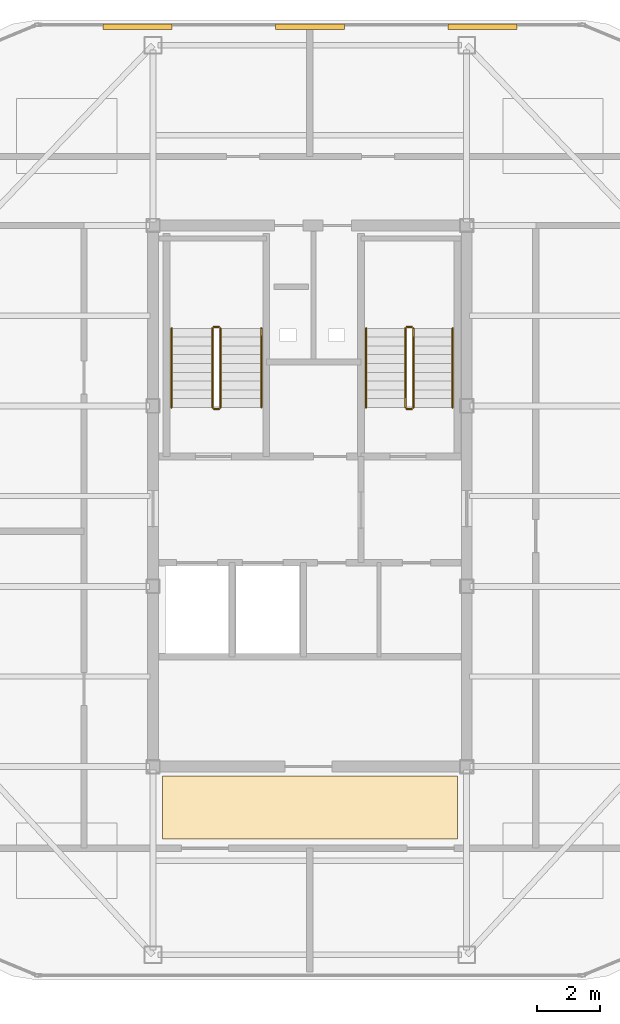
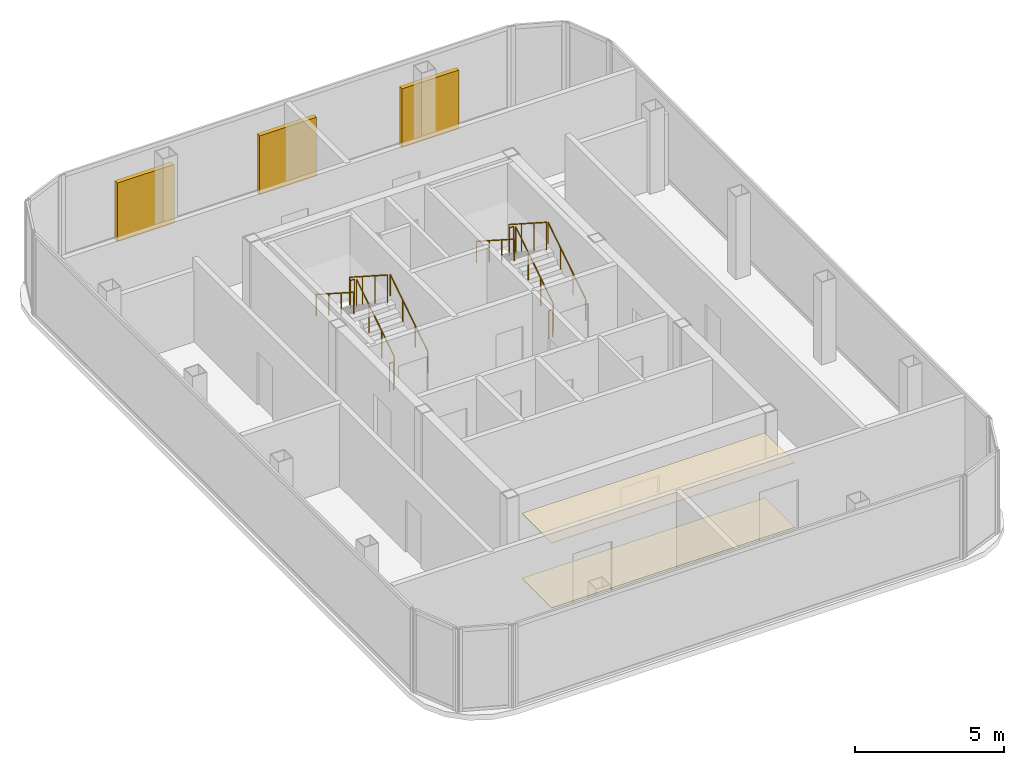
# One storey, part 11 of 11: 12 railings, 3 shading devices, 2 coverings.
"""IFC4 building model written with IfcOpenShell, lengths in metres."""

import ifcopenshell
import ifcopenshell.guid

model = None  # the IFC model being written
_history = None  # IfcOwnerHistory: only IFC2X3 demands one
_inside = {}  # id of a spatial element -> (the spatial element, [elements in it])
_under = {}  # id of a project, library or spatial element -> (it, [spatial elements below it])
_declared = {}  # id of a project -> (the project, [libraries it declares])
_typed = {}  # id of a type object -> (the type object, [elements of that type])
_made_of = {}  # id of a material, layer set ... -> (it, [elements and type objects made of it])


def new_model(schema):
    """Start an empty IFC model of exactly this schema.

    Asked for "IFC4X3", IfcOpenShell would pick the latest addendum, in which some entities
    have other attributes; the version numbers below select the first issue.
    IFC2X3 requires an IfcOwnerHistory on every rooted entity: one is made here for all.
    """
    global model, _history
    if schema == "IFC4X3":
        model = ifcopenshell.file(schema_version=(4, 3, 0, 0))
    else:
        model = ifcopenshell.file(schema=schema)
    _inside.clear()
    _under.clear()
    _declared.clear()
    _typed.clear()
    _made_of.clear()
    _history = None
    if model.schema == "IFC2X3":
        org = make("IfcOrganization", Name="unknown")
        user = make(
            "IfcPersonAndOrganization",
            ThePerson=make("IfcPerson", FamilyName="unknown"),
            TheOrganization=org,
        )
        app = make(
            "IfcApplication",
            ApplicationDeveloper=org,
            Version="unknown",
            ApplicationFullName="unknown",
            ApplicationIdentifier="unknown",
        )
        _history = make(
            "IfcOwnerHistory",
            OwningUser=user,
            OwningApplication=app,
            ChangeAction="ADDED",
            CreationDate=0,
        )
    return model


def make(cls, **values):
    """One entity of the class cls with the attributes given. An attribute that is None is left unset."""
    return model.create_entity(
        cls, **{name: value for name, value in values.items() if value is not None}
    )


def rooted(cls, **values):
    """An entity with a GlobalId (a new one), such as an element, a storey or a relation."""
    return make(cls, GlobalId=ifcopenshell.guid.new(), OwnerHistory=_history, **values)


def si_unit(unit_type, name, prefix=None):
    """IfcSIUnit, for example si_unit("LENGTHUNIT", "METRE", prefix="MILLI")."""
    return make("IfcSIUnit", UnitType=unit_type, Prefix=prefix, Name=name)


def assignment(units):
    """IfcUnitAssignment: the units of a project."""
    return None if units is None else make("IfcUnitAssignment", Units=units)


def point(xyz):
    """IfcCartesianPoint."""
    return None if xyz is None else make("IfcCartesianPoint", Coordinates=xyz)


def direction(xyz):
    """IfcDirection."""
    return None if xyz is None else make("IfcDirection", DirectionRatios=xyz)


def frame(location, z_axis=None, x_axis=None):
    """IfcAxis2Placement3D, a coordinate frame: its origin and axes. An axis left out is left unset."""
    return make(
        "IfcAxis2Placement3D",
        Location=point(location),
        Axis=direction(z_axis),
        RefDirection=direction(x_axis),
    )


def frame_2d(location, x_axis=None):
    """IfcAxis2Placement2D, a coordinate frame in the plane: its origin and x axis."""
    return make(
        "IfcAxis2Placement2D", Location=point(location), RefDirection=direction(x_axis)
    )


def origin():
    """The frame at (0, 0, 0) with its axes left unset."""
    return frame((0.0, 0.0, 0.0))


def origin_2d():
    """The frame at (0, 0) in the plane with its x axis left unset."""
    return frame_2d((0.0, 0.0))


def place(relative_to, where):
    """IfcLocalPlacement: puts the frame where relative to a parent placement (None: the world)."""
    return make(
        "IfcLocalPlacement", PlacementRelTo=relative_to, RelativePlacement=where
    )


def context(
    kind, dimensions, precision=None, world=None, true_north=None, identifier=None
):
    """IfcGeometricRepresentationContext, for example the 3D "Model" context."""
    return make(
        "IfcGeometricRepresentationContext",
        ContextIdentifier=identifier,
        ContextType=kind,
        CoordinateSpaceDimension=dimensions,
        Precision=precision,
        WorldCoordinateSystem=world,
        TrueNorth=true_north,
    )


def subcontext(parent, identifier, kind, view, scale=None):
    """IfcGeometricRepresentationSubContext, for example "Body" below "Model"."""
    return make(
        "IfcGeometricRepresentationSubContext",
        ContextIdentifier=identifier,
        ContextType=kind,
        ParentContext=parent,
        TargetScale=scale,
        TargetView=view,
    )


def project(units=None, contexts=None):
    """IfcProject with its units and contexts."""
    return rooted(
        "IfcProject",
        Name="project",
        RepresentationContexts=contexts,
        UnitsInContext=assignment(units),
    )


def spatial(cls, under=None, at=None, **own):
    """A site, building, storey or space (cls), placed at a placement, below another one or the project."""
    s = rooted(cls, ObjectPlacement=at, **own)
    if under is not None:
        _under.setdefault(under.id(), (under, []))[1].append(s)
    return s


def polyline(points):
    """IfcPolyline through the points."""
    return make("IfcPolyline", Points=[point(p) for p in points])


def profile(cls, at=None, kind="AREA", **sizes):
    """A parametric profile (cls). Its sizes go by their IFC names, for example OverallWidth=200.0."""
    return make(cls, ProfileType=kind, Position=at, **sizes)


def rectangle(**sizes):
    """IfcRectangleProfileDef."""
    return profile("IfcRectangleProfileDef", **sizes)


def circle(**sizes):
    """IfcCircleProfileDef."""
    return profile("IfcCircleProfileDef", **sizes)


def outline(outer, holes=None, kind="AREA"):
    """IfcArbitraryClosedProfileDef: a profile drawn as a closed curve; with holes, ...WithVoids."""
    if holes is None:
        return make("IfcArbitraryClosedProfileDef", ProfileType=kind, OuterCurve=outer)
    return make(
        "IfcArbitraryProfileDefWithVoids",
        ProfileType=kind,
        OuterCurve=outer,
        InnerCurves=holes,
    )


def extrude(swept, where, along, depth):
    """IfcExtrudedAreaSolid: the profile swept, set in the frame where, extruded along a direction by depth."""
    return make(
        "IfcExtrudedAreaSolid",
        SweptArea=swept,
        Position=where,
        ExtrudedDirection=direction(along),
        Depth=depth,
    )


def shape(context_of_items, identifier, shape_type, items):
    """IfcShapeRepresentation: the items that make up one representation, for example the "Body"."""
    return make(
        "IfcShapeRepresentation",
        ContextOfItems=context_of_items,
        RepresentationIdentifier=identifier,
        RepresentationType=shape_type,
        Items=items,
    )


def source(mapping_origin, context_of_items, identifier, shape_type, items):
    """IfcRepresentationMap: a shape defined once, which mapped items show again and again."""
    return make(
        "IfcRepresentationMap",
        MappingOrigin=mapping_origin,
        MappedRepresentation=shape(context_of_items, identifier, shape_type, items),
    )


def transform(
    local_origin,
    x_axis=None,
    y_axis=None,
    z_axis=None,
    scale=None,
    scale2=None,
    scale3=None,
    uniform=True,
):
    """IfcCartesianTransformationOperator3D, or its non-uniform kind. x_axis, y_axis, z_axis: its Axis1, 2, 3."""
    if uniform:
        return make(
            "IfcCartesianTransformationOperator3D",
            Axis1=direction(x_axis),
            Axis2=direction(y_axis),
            LocalOrigin=point(local_origin),
            Scale=scale,
            Axis3=direction(z_axis),
        )
    return make(
        "IfcCartesianTransformationOperator3DnonUniform",
        Axis1=direction(x_axis),
        Axis2=direction(y_axis),
        LocalOrigin=point(local_origin),
        Scale=scale,
        Axis3=direction(z_axis),
        Scale2=scale2,
        Scale3=scale3,
    )


def mapped(mapping_source, mapping_target):
    """IfcMappedItem: shows the shape of a source again, moved by a transform."""
    return make(
        "IfcMappedItem", MappingSource=mapping_source, MappingTarget=mapping_target
    )


def material(Name=None, Category=None):
    """IfcMaterial."""
    return make("IfcMaterial", Name=Name, Category=Category)


def layer(
    of_material, thickness, ventilated=None, Name=None, Category=None, Priority=None
):
    """IfcMaterialLayer: one layer of a wall or slab, of a material (None: an air gap)."""
    return make(
        "IfcMaterialLayer",
        Material=of_material,
        LayerThickness=thickness,
        IsVentilated=ventilated,
        Name=Name,
        Category=Category,
        Priority=Priority,
    )


def layer_set(layers, Name=None):
    """IfcMaterialLayerSet."""
    return make("IfcMaterialLayerSet", MaterialLayers=layers, LayerSetName=Name)


def made_of(thing, what):
    """Note that an element or type object is made of a material, layer set ...; save() writes the relation."""
    if what is not None:
        _made_of.setdefault(what.id(), (what, []))[1].append(thing)
    return thing


def type_object(cls, material=None, **own):
    """A type object (cls), such as IfcWallType, which elements share."""
    return made_of(rooted(cls, **own), material)


def element(
    cls,
    number,
    at=None,
    inside=None,
    cuts=None,
    type_object=None,
    material=None,
    context=None,
    identifier="Body",
    shape_type=None,
    held_by="IfcProductDefinitionShape",
    body=None,
    shapes=None,
    **own,
):
    """One element of the class cls, such as IfcWall. Its Tag is "e" and its number.

    at: its placement. inside: the storey or other place that contains it. cuts: it is an
    opening in that element (IfcRelVoidsElement). A single representation is given by context,
    identifier, shape_type and body (its items); several are given by shapes. held_by: the class
    of the entity that holds the representations. save() writes the other relations.
    """
    e = rooted(cls, Tag="e%d" % number, ObjectPlacement=at, **own)
    if body is not None:
        shapes = [shape(context, identifier, shape_type, body)]
    if shapes is not None:
        e.Representation = make(held_by, Representations=shapes)
    if inside is not None:
        _inside.setdefault(inside.id(), (inside, []))[1].append(e)
    if cuts is not None:
        rooted(
            "IfcRelVoidsElement", RelatingBuildingElement=cuts, RelatedOpeningElement=e
        )
    if type_object is not None:
        _typed.setdefault(type_object.id(), (type_object, []))[1].append(e)
    return made_of(e, material)


def aggregate(whole, parts):
    """IfcRelAggregates: a whole, such as a stair, and the parts it consists of."""
    return rooted("IfcRelAggregates", RelatingObject=whole, RelatedObjects=parts)


def save(model, path):
    """Write the relations noted so far, then the file.

    IfcRelAggregates (storeys below a building ...), IfcRelContainedInSpatialStructure (elements
    in a storey), IfcRelDefinesByType, IfcRelAssociatesMaterial and IfcRelDeclares: one each for
    every whole, place, type object, material and project.
    """
    for whole, parts in _under.values():
        aggregate(whole, parts)
    for where, things in _inside.values():
        rooted(
            "IfcRelContainedInSpatialStructure",
            RelatedElements=things,
            RelatingStructure=where,
        )
    for kind, things in _typed.values():
        rooted("IfcRelDefinesByType", RelatedObjects=things, RelatingType=kind)
    for what, things in _made_of.values():
        rooted("IfcRelAssociatesMaterial", RelatedObjects=things, RelatingMaterial=what)
    for by, libraries in _declared.values():
        rooted("IfcRelDeclares", RelatingContext=by, RelatedDefinitions=libraries)
    model.write(path)


model = new_model("IFC4")

# Units and contexts
model_context = context("Model", 3, precision=1e-05, world=origin(), true_north=direction((0.0, 1.0)))
body_context = subcontext(model_context, "Body", "Model", "MODEL_VIEW")
ifc_project = project(units=[si_unit("LENGTHUNIT", "METRE"), si_unit("AREAUNIT", "SQUARE_METRE"), si_unit("VOLUMEUNIT", "CUBIC_METRE"), si_unit("PLANEANGLEUNIT", "RADIAN"), si_unit("MASSUNIT", "GRAM", prefix="KILO")], contexts=[model_context])

# Site, building, storey
site_placement = place(None, origin())
site = spatial("IfcSite", under=ifc_project, at=site_placement, CompositionType="ELEMENT")
building_placement = place(site_placement, origin())
building = spatial("IfcBuilding", under=site, at=building_placement, Name="Kolveth Station Tower", CompositionType="ELEMENT")
storey_placement = place(building_placement, frame((0.0, 0.0, 289.300048828125)))
storey = spatial("IfcBuildingStorey", under=building, at=storey_placement, Name="L83", CompositionType="ELEMENT", Elevation=289.300048828125)

# Coverings
ifc_material_1 = material(Name="Acoustic mineral-fibre ceiling tile")
ifc_layer_1 = layer(ifc_material_1, 0.02490234375)
ifc_layer_set_1 = layer_set([ifc_layer_1], Name="Acoustic mineral-fibre ceiling tile")
covering_type_1 = type_object("IfcCoveringType", Name="Ceil_CL1", PredefinedType="CEILING", material=ifc_layer_set_1)
covering_1_placement = place(storey_placement, frame((0.0, 0.0, 2.64990234375)))
element("IfcCovering", 1, at=covering_1_placement, inside=storey, type_object=covering_type_1, Name="L83 Lift Lobby Suspended Ceiling", PredefinedType="CEILING", context=body_context, shape_type="SweptSolid", body=[
    extrude(outline(polyline([(18.800048828125, 9.199951171875), (28.199951171875, 9.199951171875), (28.199951171875, 11.199951171875), (18.800048828125, 11.199951171875), (18.800048828125, 9.199951171875)])), origin(), (0.0, 0.0, 1.0), 0.025146484375),
])
ifc_material_2 = material(Name="Honed terrazzo flooring")
ifc_layer_2 = layer(ifc_material_2, 0.02001953125)
ifc_layer_set_2 = layer_set([ifc_layer_2], Name="Honed terrazzo flooring")
covering_type_2 = type_object("IfcCoveringType", Name="Floor_FL1", PredefinedType="FLOORING", material=ifc_layer_set_2)
covering_2_placement = place(storey_placement, origin())
element("IfcCovering", 2, at=covering_2_placement, inside=storey, type_object=covering_type_2, Name="L83 Lift Lobby Floor Finish", PredefinedType="FLOORING", context=body_context, shape_type="SweptSolid", body=[
    extrude(outline(polyline([(18.800048828125, 9.199951171875), (28.199951171875, 9.199951171875), (28.199951171875, 11.199951171875), (18.800048828125, 11.199951171875), (18.800048828125, 9.199951171875)])), origin(), (0.0, 0.0, 1.0), 0.02001953125),
])

# Railings
ifc_material_3 = material(Name="Painted Steel S355 balustrade", Category="steel")
railing_type_1 = type_object("IfcRailingType", Name="Guard_GR2", PredefinedType="BALUSTRADE", material=ifc_material_3)
railing_1_placement = place(storey_placement, frame((20.64990234375, 22.949951171875, 0.179931640625)))
element("IfcRailing", 3, at=railing_1_placement, inside=storey, type_object=railing_type_1, Name="L83 ST1 stair guard 1", PredefinedType="BALUSTRADE", context=body_context, shape_type="SweptSolid", body=[
    extrude(circle(Radius=0.02392578125, at=origin_2d()), frame((0.0, 0.0, 1.1259765625), z_axis=(0.0, 0.841162588446, 0.540782303519), x_axis=(-1.0, 0.0, 0.0)), (0.0, 0.0, 1.0), 2.995849609375),
    extrude(circle(Radius=0.02099609375, at=origin_2d()), origin(), (0.0, 0.0, 1.0), 1.101806640625),
    extrude(circle(Radius=0.02099609375, at=origin_2d()), frame((0.0, 0.840087890625, 0.5400390625)), (0.0, 0.0, 1.0), 1.101806640625),
    extrude(circle(Radius=0.02099609375, at=origin_2d()), frame((0.0, 1.679931640625, 1.080078125)), (0.0, 0.0, 1.0), 1.101806640625),
    extrude(circle(Radius=0.02099609375, at=origin_2d()), frame((0.0, 2.52001953125, 1.6201171875)), (0.0, 0.0, 1.0), 1.101806640625),
])
railing_2_placement = place(storey_placement, frame((20.60009765625, 25.52001953125, 1.800048828125)))
element("IfcRailing", 4, at=railing_2_placement, inside=storey, type_object=railing_type_1, Name="L83 ST1 stair guard 2", PredefinedType="BALUSTRADE", context=body_context, shape_type="SweptSolid", body=[
    extrude(circle(Radius=0.02392578125, at=origin_2d()), frame((0.0, 0.0, 1.1259765625), z_axis=(-1.0, 0.0, 0.0), x_axis=(0.0, -1.0, 0.0)), (0.0, 0.0, 1.0), 0.16015625),
    extrude(circle(Radius=0.02099609375, at=origin_2d()), origin(), (0.0, 0.0, 1.0), 1.101806640625),
    extrude(circle(Radius=0.02099609375, at=origin_2d()), frame((-0.16015625, 0.0, 0.0)), (0.0, 0.0, 1.0), 1.101806640625),
])
railing_3_placement = place(storey_placement, frame((20.389892578125, 25.469970703125, 1.97998046875)))
element("IfcRailing", 5, at=railing_3_placement, inside=storey, type_object=railing_type_1, Name="L83 ST1 stair guard 3", PredefinedType="BALUSTRADE", context=body_context, shape_type="SweptSolid", body=[
    extrude(circle(Radius=0.02392578125, at=origin_2d()), frame((0.0, 0.0, 1.1259765625), z_axis=(0.0, -0.841199657755, 0.540724639528), x_axis=(1.0, 0.0, 0.0)), (0.0, 0.0, 1.0), 2.995849609375),
    extrude(circle(Radius=0.02099609375, at=origin_2d()), origin(), (0.0, 0.0, 1.0), 1.101806640625),
    extrude(circle(Radius=0.02099609375, at=origin_2d()), frame((0.0, -0.840087890625, 0.5400390625)), (0.0, 0.0, 1.0), 1.101806640625),
    extrude(circle(Radius=0.02099609375, at=origin_2d()), frame((0.0, -1.679931640625, 1.079833984375)), (0.0, 0.0, 1.0), 1.101806640625),
    extrude(circle(Radius=0.02099609375, at=origin_2d()), frame((0.0, -2.52001953125, 1.619873046875)), (0.0, 0.0, 1.0), 1.101806640625),
])
railing_4_placement = place(storey_placement, frame((20.60009765625, 22.89990234375, 0.0)))
element("IfcRailing", 6, at=railing_4_placement, inside=storey, type_object=railing_type_1, Name="L83 ST1 stair guard 4", PredefinedType="BALUSTRADE", context=body_context, shape_type="SweptSolid", body=[
    extrude(circle(Radius=0.02392578125, at=origin_2d()), frame((0.0, 0.0, 1.1259765625), z_axis=(-1.0, 0.0, 0.0), x_axis=(0.0, -1.0, 0.0)), (0.0, 0.0, 1.0), 0.16015625),
    extrude(circle(Radius=0.02099609375, at=origin_2d()), origin(), (0.0, 0.0, 1.0), 1.101806640625),
    extrude(circle(Radius=0.02099609375, at=origin_2d()), frame((-0.16015625, 0.0, 0.0)), (0.0, 0.0, 1.0), 1.101806640625),
])
railing_5_placement = place(storey_placement, frame((26.800048828125, 22.949951171875, 0.179931640625)))
element("IfcRailing", 7, at=railing_5_placement, inside=storey, type_object=railing_type_1, Name="L83 ST2 stair guard 1", PredefinedType="BALUSTRADE", context=body_context, shape_type="SweptSolid", body=[
    extrude(circle(Radius=0.02392578125, at=origin_2d()), frame((0.0, 0.0, 1.1259765625), z_axis=(0.0, 0.841162588446, 0.540782303519), x_axis=(-1.0, 0.0, 0.0)), (0.0, 0.0, 1.0), 2.995849609375),
    extrude(circle(Radius=0.02099609375, at=origin_2d()), origin(), (0.0, 0.0, 1.0), 1.101806640625),
    extrude(circle(Radius=0.02099609375, at=origin_2d()), frame((0.0, 0.840087890625, 0.5400390625)), (0.0, 0.0, 1.0), 1.101806640625),
    extrude(circle(Radius=0.02099609375, at=origin_2d()), frame((0.0, 1.679931640625, 1.080078125)), (0.0, 0.0, 1.0), 1.101806640625),
    extrude(circle(Radius=0.02099609375, at=origin_2d()), frame((0.0, 2.52001953125, 1.6201171875)), (0.0, 0.0, 1.0), 1.101806640625),
])
railing_6_placement = place(storey_placement, frame((26.75, 25.52001953125, 1.800048828125)))
element("IfcRailing", 8, at=railing_6_placement, inside=storey, type_object=railing_type_1, Name="L83 ST2 stair guard 2", PredefinedType="BALUSTRADE", context=body_context, shape_type="SweptSolid", body=[
    extrude(circle(Radius=0.02392578125, at=origin_2d()), frame((0.0, 0.0, 1.1259765625), z_axis=(-1.0, 0.0, 0.0), x_axis=(0.0, -1.0, 0.0)), (0.0, 0.0, 1.0), 0.159912109375),
    extrude(circle(Radius=0.02099609375, at=origin_2d()), origin(), (0.0, 0.0, 1.0), 1.101806640625),
    extrude(circle(Radius=0.02099609375, at=origin_2d()), frame((-0.159912109375, 0.0, 0.0)), (0.0, 0.0, 1.0), 1.101806640625),
])
railing_7_placement = place(storey_placement, frame((26.5400390625, 25.469970703125, 1.97998046875)))
element("IfcRailing", 9, at=railing_7_placement, inside=storey, type_object=railing_type_1, Name="L83 ST2 stair guard 3", PredefinedType="BALUSTRADE", context=body_context, shape_type="SweptSolid", body=[
    extrude(circle(Radius=0.02392578125, at=origin_2d()), frame((0.0, 0.0, 1.1259765625), z_axis=(0.0, -0.841199657755, 0.540724639528), x_axis=(1.0, 0.0, 0.0)), (0.0, 0.0, 1.0), 2.995849609375),
    extrude(circle(Radius=0.02099609375, at=origin_2d()), origin(), (0.0, 0.0, 1.0), 1.101806640625),
    extrude(circle(Radius=0.02099609375, at=origin_2d()), frame((0.0, -0.840087890625, 0.5400390625)), (0.0, 0.0, 1.0), 1.101806640625),
    extrude(circle(Radius=0.02099609375, at=origin_2d()), frame((0.0, -1.679931640625, 1.079833984375)), (0.0, 0.0, 1.0), 1.101806640625),
    extrude(circle(Radius=0.02099609375, at=origin_2d()), frame((0.0, -2.52001953125, 1.619873046875)), (0.0, 0.0, 1.0), 1.101806640625),
])
railing_8_placement = place(storey_placement, frame((26.75, 22.89990234375, 0.0)))
element("IfcRailing", 10, at=railing_8_placement, inside=storey, type_object=railing_type_1, Name="L83 ST2 stair guard 4", PredefinedType="BALUSTRADE", context=body_context, shape_type="SweptSolid", body=[
    extrude(circle(Radius=0.02392578125, at=origin_2d()), frame((0.0, 0.0, 1.1259765625), z_axis=(-1.0, 0.0, 0.0), x_axis=(0.0, -1.0, 0.0)), (0.0, 0.0, 1.0), 0.159912109375),
    extrude(circle(Radius=0.02099609375, at=origin_2d()), origin(), (0.0, 0.0, 1.0), 1.101806640625),
    extrude(circle(Radius=0.02099609375, at=origin_2d()), frame((-0.159912109375, 0.0, 0.0)), (0.0, 0.0, 1.0), 1.101806640625),
])
ifc_material_4 = material(Name="Brushed stainless steel", Category="steel")
railing_type_2 = type_object("IfcRailingType", Name="Handrail_HR1", PredefinedType="HANDRAIL", material=ifc_material_4)
railing_9_placement = place(storey_placement, frame((21.949951171875, 22.949951171875, 0.179931640625)))
element("IfcRailing", 11, at=railing_9_placement, inside=storey, type_object=railing_type_2, Name="L83 ST1 stair handrail 1", PredefinedType="HANDRAIL", context=body_context, shape_type="SweptSolid", body=[
    extrude(circle(Radius=0.02392578125, at=origin_2d()), frame((0.0, 0.0, 0.8759765625), z_axis=(0.0, 0.841162588446, 0.540782303519), x_axis=(-1.0, 0.0, 0.0)), (0.0, 0.0, 1.0), 2.995849609375),
    extrude(circle(Radius=0.02099609375, at=origin_2d()), origin(), (0.0, 0.0, 1.0), 0.851806640625),
    extrude(circle(Radius=0.02099609375, at=origin_2d()), frame((0.0, 0.840087890625, 0.5400390625)), (0.0, 0.0, 1.0), 0.851806640625),
    extrude(circle(Radius=0.02099609375, at=origin_2d()), frame((0.0, 1.679931640625, 1.080078125)), (0.0, 0.0, 1.0), 0.851806640625),
    extrude(circle(Radius=0.02099609375, at=origin_2d()), frame((0.0, 2.52001953125, 1.6201171875)), (0.0, 0.0, 1.0), 0.851806640625),
])
railing_10_placement = place(storey_placement, frame((19.090087890625, 25.469970703125, 1.97998046875)))
element("IfcRailing", 12, at=railing_10_placement, inside=storey, type_object=railing_type_2, Name="L83 ST1 stair handrail 2", PredefinedType="HANDRAIL", context=body_context, shape_type="SweptSolid", body=[
    extrude(circle(Radius=0.02392578125, at=origin_2d()), frame((0.0, 0.0, 0.8759765625), z_axis=(0.0, -0.841199657755, 0.540724639528), x_axis=(1.0, 0.0, 0.0)), (0.0, 0.0, 1.0), 2.995849609375),
    extrude(circle(Radius=0.02099609375, at=origin_2d()), origin(), (0.0, 0.0, 1.0), 0.851806640625),
    extrude(circle(Radius=0.02099609375, at=origin_2d()), frame((0.0, -0.840087890625, 0.5400390625)), (0.0, 0.0, 1.0), 0.851806640625),
    extrude(circle(Radius=0.02099609375, at=origin_2d()), frame((0.0, -1.679931640625, 1.079833984375)), (0.0, 0.0, 1.0), 0.851806640625),
    extrude(circle(Radius=0.02099609375, at=origin_2d()), frame((0.0, -2.52001953125, 1.619873046875)), (0.0, 0.0, 1.0), 0.851806640625),
])
railing_11_placement = place(storey_placement, frame((28.050048828125, 22.949951171875, 0.179931640625)))
element("IfcRailing", 13, at=railing_11_placement, inside=storey, type_object=railing_type_2, Name="L83 ST2 stair handrail 1", PredefinedType="HANDRAIL", context=body_context, shape_type="SweptSolid", body=[
    extrude(circle(Radius=0.02392578125, at=origin_2d()), frame((0.0, 0.0, 0.8759765625), z_axis=(0.0, 0.841162588446, 0.540782303519), x_axis=(-1.0, 0.0, 0.0)), (0.0, 0.0, 1.0), 2.995849609375),
    extrude(circle(Radius=0.02099609375, at=origin_2d()), origin(), (0.0, 0.0, 1.0), 0.851806640625),
    extrude(circle(Radius=0.02099609375, at=origin_2d()), frame((0.0, 0.840087890625, 0.5400390625)), (0.0, 0.0, 1.0), 0.851806640625),
    extrude(circle(Radius=0.02099609375, at=origin_2d()), frame((0.0, 1.679931640625, 1.080078125)), (0.0, 0.0, 1.0), 0.851806640625),
    extrude(circle(Radius=0.02099609375, at=origin_2d()), frame((0.0, 2.52001953125, 1.6201171875)), (0.0, 0.0, 1.0), 0.851806640625),
])
railing_12_placement = place(storey_placement, frame((25.2900390625, 25.469970703125, 1.97998046875)))
element("IfcRailing", 14, at=railing_12_placement, inside=storey, type_object=railing_type_2, Name="L83 ST2 stair handrail 2", PredefinedType="HANDRAIL", context=body_context, shape_type="SweptSolid", body=[
    extrude(circle(Radius=0.02392578125, at=origin_2d()), frame((0.0, 0.0, 0.8759765625), z_axis=(0.0, -0.841199657755, 0.540724639528), x_axis=(1.0, 0.0, 0.0)), (0.0, 0.0, 1.0), 2.995849609375),
    extrude(circle(Radius=0.02099609375, at=origin_2d()), origin(), (0.0, 0.0, 1.0), 0.851806640625),
    extrude(circle(Radius=0.02099609375, at=origin_2d()), frame((0.0, -0.840087890625, 0.5400390625)), (0.0, 0.0, 1.0), 0.851806640625),
    extrude(circle(Radius=0.02099609375, at=origin_2d()), frame((0.0, -1.679931640625, 1.079833984375)), (0.0, 0.0, 1.0), 0.851806640625),
    extrude(circle(Radius=0.02099609375, at=origin_2d()), frame((0.0, -2.52001953125, 1.619873046875)), (0.0, 0.0, 1.0), 0.851806640625),
])

# Shading devices
ifc_material_5 = material(Name="Black anodized aluminium 6063-T6", Category="aluminium")
shading_device_type = type_object("IfcShadingDeviceType", Name="Louvre_LV1", PredefinedType="JALOUSIE", material=ifc_material_5)
shared_shape = source(origin(), body_context, "Body", "SweptSolid", [
    extrude(rectangle(XDim=2.199951171875, YDim=0.179931640625, at=origin_2d()), origin(), (0.0, 0.0, 1.0), 2.39990234375),
])
for number, where, z_axis, x_axis, name in (
    (15, (18.0, 35.080078125, 0.0), (0.0, 0.0, 1.0), (1.0, 0.0, 0.0), "L83 Crown Plant Louvre 1"),
    (16, (23.5, 35.080078125, 0.0), (0.0, 0.0, 1.0), (1.0, 0.0, 0.0), "L83 Crown Plant Louvre 2"),
    (17, (29.0, 35.080078125, 0.0), (0.0, 0.0, 1.0), (1.0, 0.0, 0.0), "L83 Crown Plant Louvre 3"),
):
    element("IfcShadingDevice", number, at=place(storey_placement, frame(where, z_axis=z_axis, x_axis=x_axis)), inside=storey, type_object=shading_device_type, Name=name, PredefinedType="JALOUSIE", context=body_context, shape_type="MappedRepresentation", body=[
        mapped(shared_shape, transform((0.0, 0.0, 0.0), x_axis=(1.0, 0.0, 0.0), y_axis=(0.0, 1.0, 0.0), z_axis=(0.0, 0.0, 1.0), scale=1.0)),
    ])

save(model, "model.ifc")
